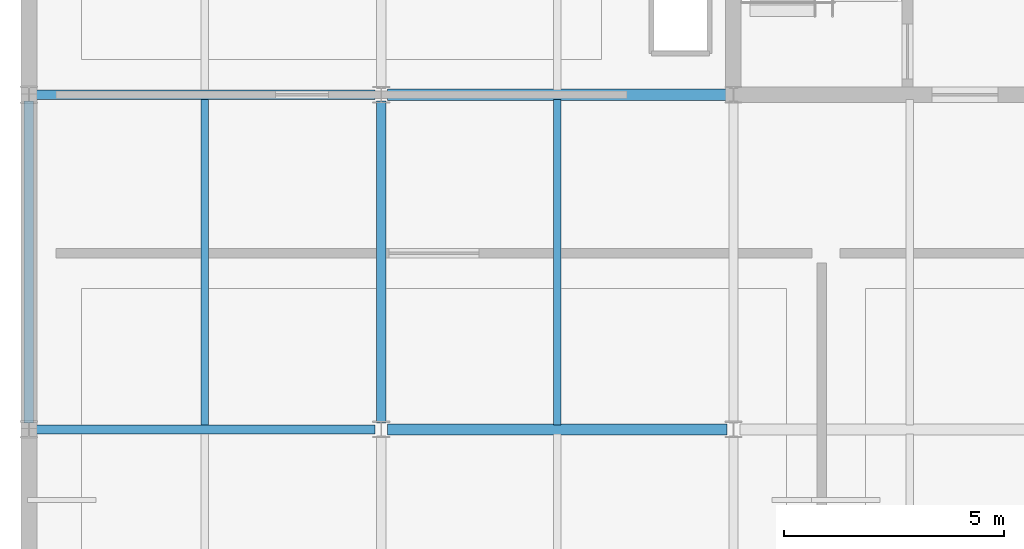
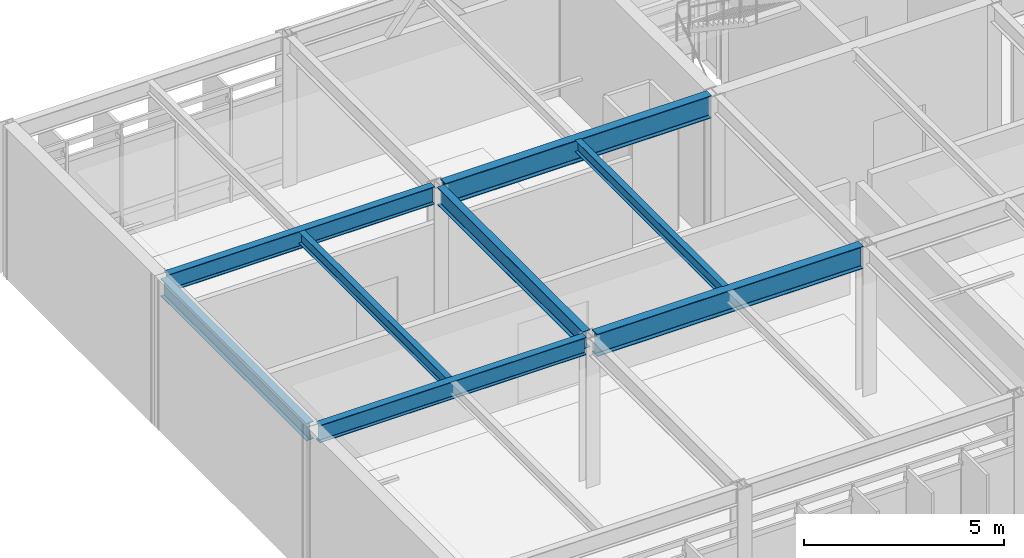
# One storey, part 21 of 104: 8 beams.
"""IFC4 building model written with IfcOpenShell, lengths in metres."""

from ifc_helpers import new_model, si_unit, direction, frame, origin, origin_2d, place, context, subcontext, project, spatial, i_section, extrude, material, material_profile, profile_set, type_object, element, save


model = new_model("IFC4")

# Units and contexts
model_context = context("Model", 3, precision=1e-05, world=origin(), true_north=direction((0.0, 1.0)))
body_context = subcontext(model_context, "Body", "Model", "MODEL_VIEW")
ifc_project = project(units=[si_unit("LENGTHUNIT", "METRE"), si_unit("AREAUNIT", "SQUARE_METRE"), si_unit("VOLUMEUNIT", "CUBIC_METRE"), si_unit("PLANEANGLEUNIT", "RADIAN"), si_unit("MASSUNIT", "GRAM", prefix="KILO")], contexts=[model_context])

# Site, building, storey
site_placement = place(None, origin())
site = spatial("IfcSite", under=ifc_project, at=site_placement, CompositionType="ELEMENT")
building_placement = place(site_placement, origin())
building = spatial("IfcBuilding", under=site, at=building_placement, Name="Zulena Civic Courthouse", CompositionType="ELEMENT")
storey_placement = place(building_placement, frame((0.0, 0.0, 15.60009765625)))
storey = spatial("IfcBuildingStorey", under=building, at=storey_placement, Name="L03", CompositionType="ELEMENT", Elevation=15.60009765625)

# Beams
ifc_material = material(Name="Steel ASTM A992 Grade 50", Category="steel")
ifc_material_profile_1 = material_profile(ifc_material, i_section(OverallWidth=0.2099609375, OverallDepth=0.537109375, WebThickness=0.010986328125, FlangeThickness=0.017333984375, FilletRadius=0.0126953125, at=origin_2d()), Name="W21X68")
ifc_profile_set_1 = profile_set([ifc_material_profile_1], Name="Steel ASTM A992 Grade 50")
beam_type_1 = type_object("IfcBeamType", Name="Girder_W21X68", PredefinedType="BEAM", material=ifc_profile_set_1)
beam_1_placement = place(storey_placement, frame((12.0, 7.7451171875, 4.3212890625), z_axis=(0.0, 1.0, 0.0), x_axis=(-1.0, 0.0, 0.0)))
element("IfcBeam", 1, at=beam_1_placement, inside=storey, type_object=beam_type_1, Name="beam:Y:V2:L03:12.0:7.6_15.2", PredefinedType="BEAM", context=body_context, shape_type="SweptSolid", body=[
    extrude(i_section(OverallWidth=0.2099609375, OverallDepth=0.537109375, WebThickness=0.010986328125, FlangeThickness=0.017333984375, FilletRadius=0.0126953125, at=origin_2d()), origin(), (0.0, 0.0, 1.0), 7.309814453125),
])
ifc_material_profile_2 = material_profile(ifc_material, i_section(OverallWidth=0.25390625, OverallDepth=0.68798828125, WebThickness=0.01318359375, FlangeThickness=0.02099609375, FilletRadius=0.0166015625, at=origin_2d()), Name="W27X102")
ifc_profile_set_2 = profile_set([ifc_material_profile_2], Name="Steel ASTM A992 Grade 50")
beam_type_2 = type_object("IfcBeamType", Name="Girder_W27X102", PredefinedType="BEAM", material=ifc_profile_set_2)
for number, where, z_axis, x_axis, name in (
    (2, (12.14501953125, 7.60009765625, 4.245849609375), (1.0, 0.0, 0.0), (0.0, 1.0, 0.0), "beam:X:V2:L03:7.6:12.0_20.0"),
    (3, (12.14501953125, 15.199951171875, 4.245849609375), (1.0, 0.0, 0.0), (0.0, 1.0, 0.0), "beam:X:V2:L03:15.2:12.0_20.0"),
):
    element("IfcBeam", number, at=place(storey_placement, frame(where, z_axis=z_axis, x_axis=x_axis)), inside=storey, type_object=beam_type_2, Name=name, PredefinedType="BEAM", context=body_context, shape_type="SweptSolid", body=[
        extrude(i_section(OverallWidth=0.25390625, OverallDepth=0.68798828125, WebThickness=0.01318359375, FlangeThickness=0.02099609375, FilletRadius=0.0166015625, at=origin_2d()), origin(), (0.0, 0.0, 1.0), 7.7099609375),
    ])
ifc_material_profile_3 = material_profile(ifc_material, i_section(OverallWidth=0.1708984375, OverallDepth=0.35205078125, WebThickness=0.0068359375, FlangeThickness=0.009765625, FilletRadius=0.01025390625, at=origin_2d()), Name="W14X30")
ifc_profile_set_3 = profile_set([ifc_material_profile_3], Name="Steel ASTM A992 Grade 50")
beam_type_3 = type_object("IfcBeamType", Name="Joist_W14X30", PredefinedType="JOIST", material=ifc_profile_set_3)
for number, where, z_axis, x_axis, name in (
    (4, (8.0, 7.705078125, 4.413818359375), (0.0, 1.0, 0.0), (-1.0, 0.0, 0.0), "joist:V2:L03:8.00:7.6_15.2"),
    (5, (16.0, 7.705078125, 4.413818359375), (0.0, 1.0, 0.0), (-1.0, 0.0, 0.0), "joist:V2:L03:16.00:7.6_15.2"),
):
    element("IfcBeam", number, at=place(storey_placement, frame(where, z_axis=z_axis, x_axis=x_axis)), inside=storey, type_object=beam_type_3, Name=name, PredefinedType="JOIST", context=body_context, shape_type="SweptSolid", body=[
        extrude(i_section(OverallWidth=0.1708984375, OverallDepth=0.35205078125, WebThickness=0.0068359375, FlangeThickness=0.009765625, FilletRadius=0.01025390625, at=origin_2d()), origin(), (0.0, 0.0, 1.0), 7.389892578125),
    ])
ifc_material_profile_4 = material_profile(ifc_material, i_section(OverallWidth=0.2099609375, OverallDepth=0.537109375, WebThickness=0.010986328125, FlangeThickness=0.017333984375, FilletRadius=0.0126953125, at=origin_2d()), Name="W21X68")
ifc_profile_set_4 = profile_set([ifc_material_profile_4], Name="Steel ASTM A992 Grade 50")
beam_type_4 = type_object("IfcBeamType", Name="Spandrel_W21X68", PredefinedType="SPANDREL", material=ifc_profile_set_4)
for number, where, z_axis, x_axis, name in (
    (6, (4.14501953125, 7.60009765625, 4.3212890625), (1.0, 0.0, 0.0), (0.0, 1.0, 0.0), "beam:X:V2:L03:7.6:4.0_12.0"),
    (7, (4.14501953125, 15.199951171875, 4.3212890625), (1.0, 0.0, 0.0), (0.0, 1.0, 0.0), "beam:X:V2:L03:15.2:4.0_12.0"),
):
    element("IfcBeam", number, at=place(storey_placement, frame(where, z_axis=z_axis, x_axis=x_axis)), inside=storey, type_object=beam_type_4, Name=name, PredefinedType="SPANDREL", context=body_context, shape_type="SweptSolid", body=[
        extrude(i_section(OverallWidth=0.2099609375, OverallDepth=0.537109375, WebThickness=0.010986328125, FlangeThickness=0.017333984375, FilletRadius=0.0126953125, at=origin_2d()), origin(), (0.0, 0.0, 1.0), 7.7099609375),
    ])
beam_2_placement = place(storey_placement, frame((4.0, 7.7451171875, 4.3212890625), z_axis=(0.0, 1.0, 0.0), x_axis=(-1.0, 0.0, 0.0)))
element("IfcBeam", 8, at=beam_2_placement, inside=storey, type_object=beam_type_4, Name="beam:Y:V2:L03:4.0:7.6_15.2", PredefinedType="SPANDREL", context=body_context, shape_type="SweptSolid", body=[
    extrude(i_section(OverallWidth=0.2099609375, OverallDepth=0.537109375, WebThickness=0.010986328125, FlangeThickness=0.017333984375, FilletRadius=0.0126953125, at=origin_2d()), origin(), (0.0, 0.0, 1.0), 7.309814453125),
])

save(model, "model.ifc")
